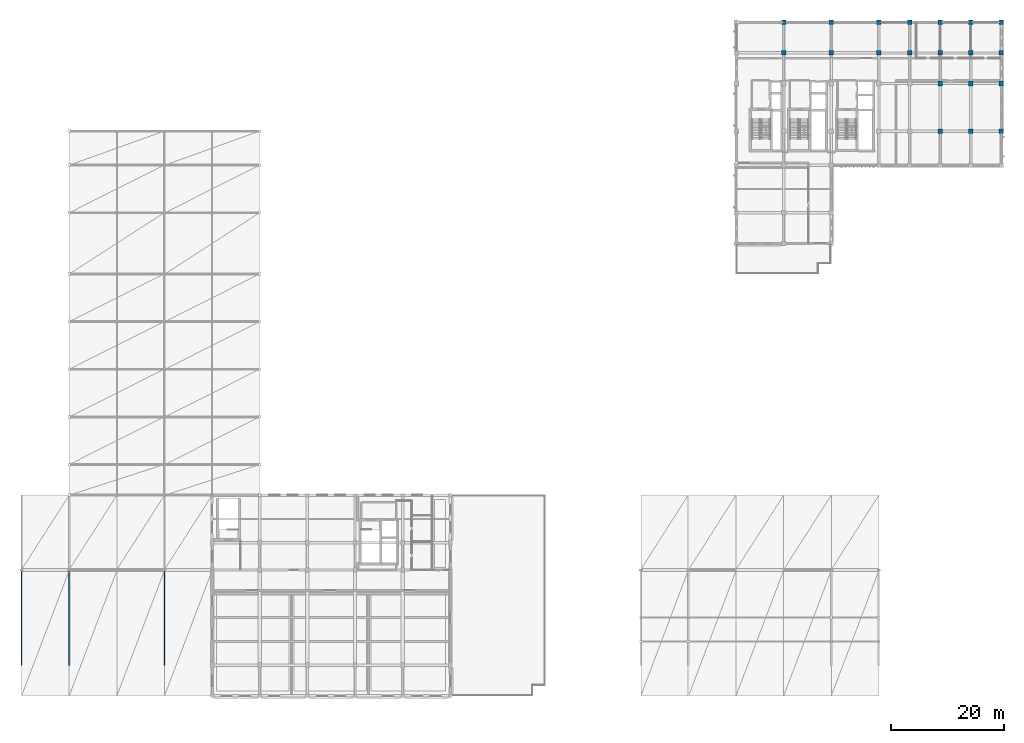
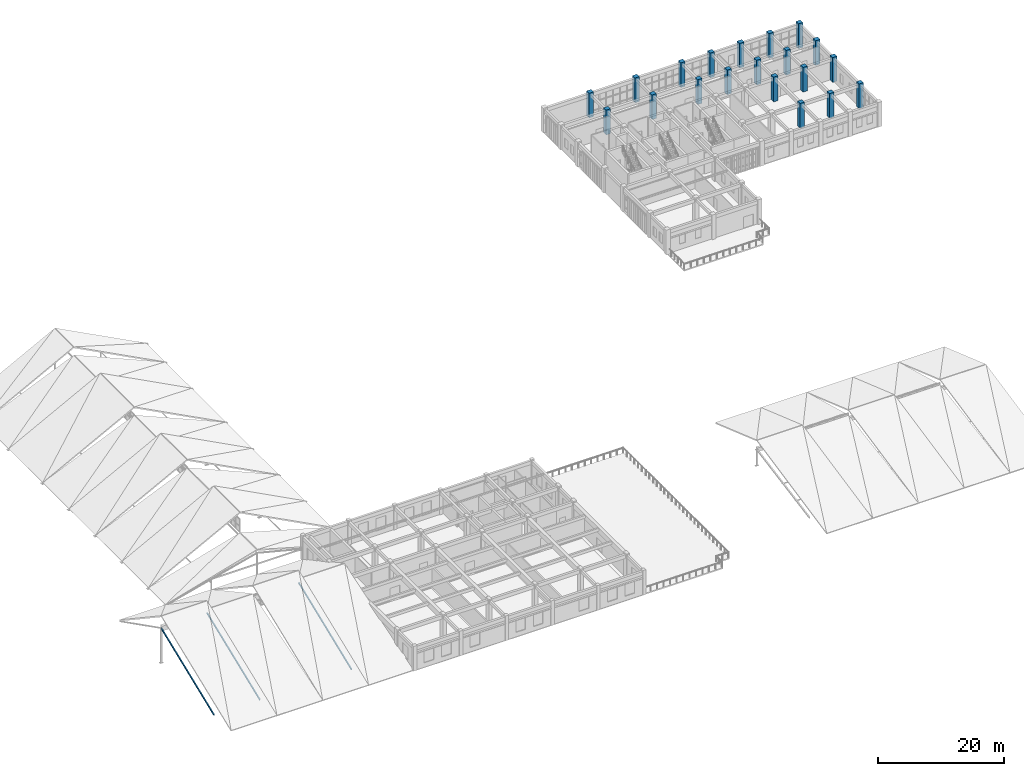
# One storey, part 4 of 76: 20 columns, 3 members.
"""IFC4 building model written with IfcOpenShell, lengths in metres."""

from ifc_helpers import new_model, si_unit, direction, frame, origin, origin_2d, place, context, subcontext, project, spatial, rectangle, i_section, extrude, material, material_profile, profile_set, type_object, element, save


model = new_model("IFC4")

# Units and contexts
model_context = context("Model", 3, precision=1e-05, world=origin(), true_north=direction((0.0, 1.0)))
body_context = subcontext(model_context, "Body", "Model", "MODEL_VIEW")
ifc_project = project(units=[si_unit("LENGTHUNIT", "METRE"), si_unit("AREAUNIT", "SQUARE_METRE"), si_unit("VOLUMEUNIT", "CUBIC_METRE"), si_unit("PLANEANGLEUNIT", "RADIAN"), si_unit("MASSUNIT", "GRAM", prefix="KILO")], contexts=[model_context])

# Site, building, storey
site_placement = place(None, origin())
site = spatial("IfcSite", under=ifc_project, at=site_placement, CompositionType="ELEMENT")
building_placement = place(site_placement, origin())
building = spatial("IfcBuilding", under=site, at=building_placement, Name="Krzemoval Escarpment Law Courts", CompositionType="ELEMENT")
storey_placement = place(building_placement, frame((0.0, 0.0, 20.39990234375)))
storey = spatial("IfcBuildingStorey", under=building, at=storey_placement, Name="L04", CompositionType="ELEMENT", Elevation=20.39990234375)

# Columns
ifc_material_1 = material(Name="Concrete C40/50", Category="concrete")
ifc_material_profile_1 = material_profile(ifc_material_1, rectangle(XDim=0.800048828125, YDim=0.800048828125, at=origin_2d()), Name="RC 800x800")
ifc_profile_set_1 = profile_set([ifc_material_profile_1], Name="Concrete C40/50")
column_type = type_object("IfcColumnType", Name="COL-RC-800", PredefinedType="COLUMN", material=ifc_profile_set_1)
for number, where, z_axis, x_axis, name in (
    (1, (134.39990234375, 113.39990234375, 0.0), (0.0, 0.0, 1.0), (1.0, 0.0, 0.0), "Column FC-L04-1214"),
    (2, (134.39990234375, 118.800048828125, 0.0), (0.0, 0.0, 1.0), (1.0, 0.0, 0.0), "Column FC-L04-1215"),
    (3, (142.800048828125, 113.39990234375, 0.0), (0.0, 0.0, 1.0), (1.0, 0.0, 0.0), "Column FC-L04-1221"),
    (4, (142.800048828125, 118.800048828125, 0.0), (0.0, 0.0, 1.0), (1.0, 0.0, 0.0), "Column FC-L04-1222"),
    (5, (151.199951171875, 113.39990234375, 0.0), (0.0, 0.0, 1.0), (1.0, 0.0, 0.0), "Column FC-L04-1226"),
    (6, (151.199951171875, 118.800048828125, 0.0), (0.0, 0.0, 1.0), (1.0, 0.0, 0.0), "Column FC-L04-1227"),
    (7, (156.60009765625, 113.39990234375, 0.0), (0.0, 0.0, 1.0), (1.0, 0.0, 0.0), "Column FC-L04-1231"),
    (8, (156.60009765625, 118.800048828125, 0.0), (0.0, 0.0, 1.0), (1.0, 0.0, 0.0), "Column FC-L04-1232"),
    (9, (162.0, 99.60009765625, 0.0), (0.0, 0.0, 1.0), (1.0, 0.0, 0.0), "Column FC-L04-1234"),
    (10, (162.0, 108.0, 0.0), (0.0, 0.0, 1.0), (1.0, 0.0, 0.0), "Column FC-L04-1235"),
    (11, (162.0, 113.39990234375, 0.0), (0.0, 0.0, 1.0), (1.0, 0.0, 0.0), "Column FC-L04-1236"),
    (12, (162.0, 118.800048828125, 0.0), (0.0, 0.0, 1.0), (1.0, 0.0, 0.0), "Column FC-L04-1237"),
    (13, (167.39990234375, 99.60009765625, 0.0), (0.0, 0.0, 1.0), (1.0, 0.0, 0.0), "Column FC-L04-1239"),
    (14, (167.39990234375, 108.0, 0.0), (0.0, 0.0, 1.0), (1.0, 0.0, 0.0), "Column FC-L04-1240"),
    (15, (167.39990234375, 113.39990234375, 0.0), (0.0, 0.0, 1.0), (1.0, 0.0, 0.0), "Column FC-L04-1241"),
    (16, (167.39990234375, 118.800048828125, 0.0), (0.0, 0.0, 1.0), (1.0, 0.0, 0.0), "Column FC-L04-1242"),
    (17, (172.800048828125, 99.60009765625, 0.0), (0.0, 0.0, 1.0), (1.0, 0.0, 0.0), "Column FC-L04-1244"),
    (18, (172.800048828125, 108.0, 0.0), (0.0, 0.0, 1.0), (1.0, 0.0, 0.0), "Column FC-L04-1245"),
    (19, (172.800048828125, 113.39990234375, 0.0), (0.0, 0.0, 1.0), (1.0, 0.0, 0.0), "Column FC-L04-1246"),
    (20, (172.800048828125, 118.800048828125, 0.0), (0.0, 0.0, 1.0), (1.0, 0.0, 0.0), "Column FC-L04-1247"),
):
    element("IfcColumn", number, at=place(storey_placement, frame(where, z_axis=z_axis, x_axis=x_axis)), inside=storey, type_object=column_type, Name=name, PredefinedType="COLUMN", context=body_context, shape_type="SweptSolid", body=[
        extrude(rectangle(XDim=0.800048828125, YDim=0.800048828125, at=origin_2d()), origin(), (0.0, 0.0, 1.0), 4.800048828125),
    ])

# Members
ifc_material_2 = material(Name="Steel S355", Category="steel")
ifc_material_profile_2 = material_profile(ifc_material_2, i_section(OverallWidth=0.199951171875, OverallDepth=0.199951171875, WebThickness=0.009033203125, FlangeThickness=0.014892578125, at=origin_2d()), Name="HEB 200")
ifc_profile_set_2 = profile_set([ifc_material_profile_2], Name="Steel S355")
member_type = type_object("IfcMemberType", Name="MBR-COL-HEB200", PredefinedType="COLLAR", material=ifc_profile_set_2)
for number, where, z_axis, x_axis, name in (
    (21, (0.0, 5.39990234375, -0.27978515625), (0.0, 0.929239319639, 0.369478398335), (-1.0, 0.0, 0.0), "Plenary Roof Rafter Tie CL-0079"),
    (22, (8.39990234375, 5.39990234375, -0.27978515625), (0.0, 0.929239319639, 0.369478398335), (-1.0, 0.0, 0.0), "Plenary Roof Rafter Tie CL-0081"),
    (23, (25.199951171875, 5.39990234375, -0.27978515625), (0.0, 0.929239319639, 0.369478398335), (-1.0, 0.0, 0.0), "Plenary Roof Rafter Tie CL-0083"),
):
    element("IfcMember", number, at=place(storey_placement, frame(where, z_axis=z_axis, x_axis=x_axis)), inside=storey, type_object=member_type, Name=name, PredefinedType="COLLAR", context=body_context, shape_type="SweptSolid", body=[
        extrude(i_section(OverallWidth=0.199951171875, OverallDepth=0.199951171875, WebThickness=0.009033203125, FlangeThickness=0.014892578125, at=origin_2d()), origin(), (0.0, 0.0, 1.0), 18.079345703125),
    ])

save(model, "model.ifc")
